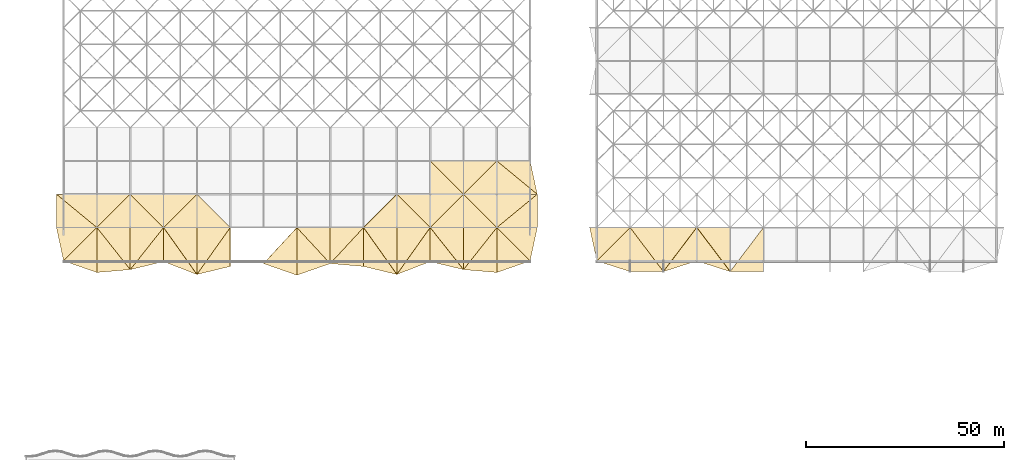
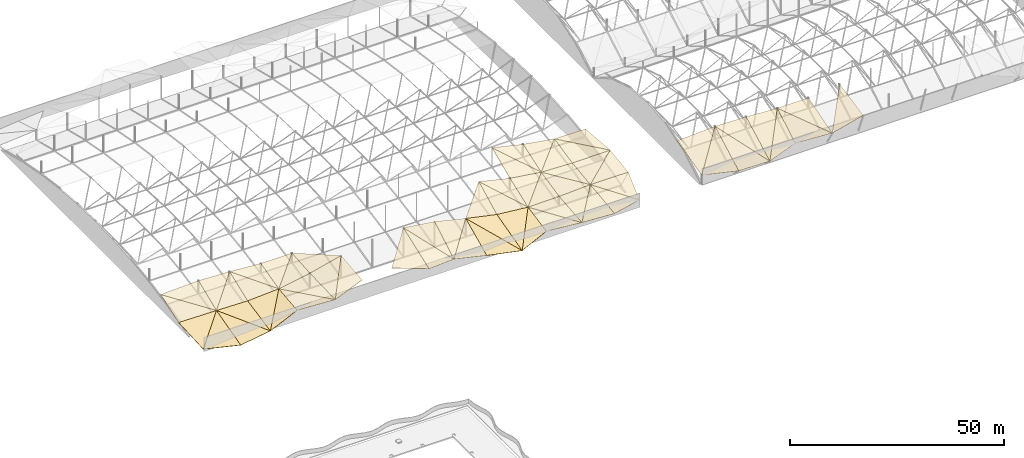
# One storey, part 109 of 111: 58 coverings.
"""IFC4 building model written with IfcOpenShell, lengths in metres."""

from ifc_helpers import new_model, si_unit, direction, frame, origin, place, context, subcontext, project, spatial, polyline, outline, extrude, material, layer, layer_set, type_object, element, save


model = new_model("IFC4")

# Units and contexts
model_context = context("Model", 3, precision=1e-05, world=origin(), true_north=direction((0.0, 1.0)))
body_context = subcontext(model_context, "Body", "Model", "MODEL_VIEW")
ifc_project = project(units=[si_unit("LENGTHUNIT", "METRE"), si_unit("AREAUNIT", "SQUARE_METRE"), si_unit("VOLUMEUNIT", "CUBIC_METRE"), si_unit("PLANEANGLEUNIT", "RADIAN"), si_unit("MASSUNIT", "GRAM", prefix="KILO")], contexts=[model_context])

# Site, building, storey
site_placement = place(None, origin())
site = spatial("IfcSite", under=ifc_project, at=site_placement, CompositionType="ELEMENT")
building_placement = place(site_placement, origin())
building = spatial("IfcBuilding", under=site, at=building_placement, Name="Rain Tree Exposition and Congress Centre", CompositionType="ELEMENT")
storey_placement = place(building_placement, frame((0.0, 0.0, 19.5)))
storey = spatial("IfcBuildingStorey", under=building, at=storey_placement, Name="RF", CompositionType="ELEMENT", Elevation=19.5)

# Coverings
ifc_material = material(Name="Aluminium composite cladding", Category="aluminium")
ifc_layer = layer(ifc_material, 0.10009765625)
ifc_layer_set = layer_set([ifc_layer], Name="Aluminium composite cladding")
covering_type = type_object("IfcCoveringType", Name="Triangular aluminium roof skin facet 100", PredefinedType="CLADDING", material=ifc_layer_set)
covering_1_placement = place(storey_placement, frame((8.39990234375, 100.800048828125, 0.5), z_axis=(-0.088846974785, -0.255384950828, 0.962748535165), x_axis=(0.944476797556, -0.328578116858, 0.0)))
element("IfcCovering", 1, at=covering_1_placement, inside=storey, type_object=covering_type, Name="Roof skin facet A1", PredefinedType="CLADDING", context=body_context, shape_type="SweptSolid", body=[
    extrude(outline(polyline([(0.0, 0.0), (8.893968074293719, 4.440892098500626e-16), (5.173719356660829, 11.10738348383713), (0.0, 0.0)])), origin(), (0.0, 0.0, -1.0), 0.10009765625),
])
covering_2_placement = place(storey_placement, frame((8.39990234375, 100.800048828125, 0.5), z_axis=(0.013570877733, -0.348654076553, 0.937153224494), x_axis=(0.685546181138, 0.685526256525, 0.245112596866)))
element("IfcCovering", 2, at=covering_2_placement, inside=storey, type_object=covering_type, Name="Roof skin facet A2", PredefinedType="CLADDING", context=body_context, shape_type="SweptSolid", body=[
    extrude(outline(polyline([(0.0, 0.0), (12.253217530041029, 4.440892098500626e-16), (5.296884331635731, 7.461249837091799), (0.0, 0.0)])), origin(), (0.0, 0.0, -1.0), 0.10009765625),
])
covering_3_placement = place(storey_placement, frame((16.800048828125, 97.877685546875, 0.5), z_axis=(-0.055555446794, -0.256002953264, 0.965078276748), x_axis=(0.993148670055, 0.0853554792, 0.079813290493)))
element("IfcCovering", 3, at=covering_3_placement, inside=storey, type_object=covering_type, Name="Roof skin facet A3", PredefinedType="CLADDING", context=body_context, shape_type="SweptSolid", body=[
    extrude(outline(polyline([(0.0, 0.0), (8.457849863795428, -1.1102230246251565e-16), (1.2061300788619782, 11.65158652763354), (0.0, 0.0)])), origin(), (0.0, 0.0, -1.0), 0.10009765625),
])
covering_4_placement = place(storey_placement, frame((25.199951171875, 98.599609375, 1.175048828125), z_axis=(0.022531770546, -0.197416149791, 0.980060805827), x_axis=(0.0, 0.980309679562, 0.197466281062)))
element("IfcCovering", 4, at=covering_4_placement, inside=storey, type_object=covering_type, Name="Roof skin facet A4", PredefinedType="CLADDING", context=body_context, shape_type="SweptSolid", body=[
    extrude(outline(polyline([(0.0, 0.0), (10.813258318135704, -6.938893903907228e-18), (10.85139206528424, 8.402035390047633), (0.0, 0.0)])), origin(), (0.0, 0.0, -1.0), 0.10009765625),
])
covering_5_placement = place(storey_placement, frame((25.199951171875, 98.599609375, 1.175048828125), z_axis=(-0.174021564032, -0.104420540399, 0.979189892715), x_axis=(0.953763157926, 0.229577309092, 0.193984787374)))
element("IfcCovering", 5, at=covering_5_placement, inside=storey, type_object=covering_type, Name="Roof skin facet A5", PredefinedType="CLADDING", context=body_context, shape_type="SweptSolid", body=[
    extrude(outline(polyline([(0.0, 0.0), (8.807371530935853, 3.608224830031759e-16), (10.954226733053028, 8.355613658077907), (0.0, 0.0)])), origin(), (0.0, 0.0, -1.0), 0.10009765625),
])
covering_6_placement = place(storey_placement, frame((25.199951171875, 98.599609375, 1.175048828125), z_axis=(-0.056862510239, -0.197146784279, 0.978723556668), x_axis=(0.609713422238, 0.769411662748, 0.190408077483)))
element("IfcCovering", 6, at=covering_6_placement, inside=storey, type_object=covering_type, Name="Roof skin facet A6", PredefinedType="CLADDING", context=body_context, shape_type="SweptSolid", body=[
    extrude(outline(polyline([(0.0, 0.0), (13.777204466879034, -5.828670879282072e-16), (8.562596198852994, 6.603673355801243), (0.0, 0.0)])), origin(), (0.0, 0.0, -1.0), 0.10009765625),
])
covering_7_placement = place(storey_placement, frame((33.60009765625, 100.62158203125, 2.883544921875), z_axis=(-0.273527872375, -0.101994616717, 0.956441112246), x_axis=(0.909465826513, -0.351140616154, 0.222648103724)))
element("IfcCovering", 7, at=covering_7_placement, inside=storey, type_object=covering_type, Name="Roof skin facet A7", PredefinedType="CLADDING", context=body_context, shape_type="SweptSolid", body=[
    extrude(outline(polyline([(0.0, 0.0), (9.236083532633199, -5.551115123125783e-17), (-2.8085364709852003, 8.157045405847732), (0.0, 0.0)])), origin(), (0.0, 0.0, -1.0), 0.10009765625),
])
covering_8_placement = place(storey_placement, frame((42.0, 97.37841796875, 4.93994140625), z_axis=(-0.176459652595, -0.030376063834, 0.983839054801), x_axis=(0.0, 0.999523706651, 0.030860327987)))
element("IfcCovering", 8, at=covering_8_placement, inside=storey, type_object=covering_type, Name="Roof skin facet A8", PredefinedType="CLADDING", context=body_context, shape_type="SweptSolid", body=[
    extrude(outline(polyline([(0.0, 0.0), (11.827166403825387, -1.3877787807814457e-17), (11.780672486831795, 8.533816059807615), (0.0, 0.0)])), origin(), (0.0, 0.0, -1.0), 0.10009765625),
])
covering_9_placement = place(storey_placement, frame((42.0, 97.37841796875, 4.93994140625), z_axis=(-0.142025918388, -0.104104853404, 0.984373312318), x_axis=(0.959255637522, 0.230906097482, 0.16282197649)))
element("IfcCovering", 9, at=covering_9_placement, inside=storey, type_object=covering_type, Name="Roof skin facet A9", PredefinedType="CLADDING", context=body_context, shape_type="SweptSolid", body=[
    extrude(outline(polyline([(0.0, 0.0), (8.75668801431289, -2.3592239273284576e-16), (11.188211241124577, 9.549510924561162), (0.0, 0.0)])), origin(), (0.0, 0.0, -1.0), 0.10009765625),
])
covering_10_placement = place(storey_placement, frame((42.0, 97.37841796875, 4.93994140625), z_axis=(-0.242121791361, -0.029942105615, 0.96978374314), x_axis=(0.571053092266, 0.803666854055, 0.167385643071)))
element("IfcCovering", 10, at=covering_10_placement, inside=storey, type_object=covering_type, Name="Roof skin facet A10", PredefinedType="CLADDING", context=body_context, shape_type="SweptSolid", body=[
    extrude(outline(polyline([(0.0, 0.0), (14.70949454176925, -1.2212453270876722e-15), (9.561668524559432, 6.9610602762959495), (0.0, 0.0)])), origin(), (0.0, 0.0, -1.0), 0.10009765625),
])
covering_11_placement = place(storey_placement, frame((58.800048828125, 100.122314453125, 6.386962890625), z_axis=(0.033609960106, -0.346439700269, 0.93746994867), x_axis=(0.933287839562, -0.32469497877, -0.153450250201)))
element("IfcCovering", 11, at=covering_11_placement, inside=storey, type_object=covering_type, Name="Roof skin facet A13", PredefinedType="CLADDING", context=body_context, shape_type="SweptSolid", body=[
    extrude(outline(polyline([(0.0, 0.0), (9.000334074522275, 4.996003610813204e-16), (4.423508405296607, 11.94646728744625), (0.0, 0.0)])), origin(), (0.0, 0.0, -1.0), 0.10009765625),
])
covering_12_placement = place(storey_placement, frame((67.199951171875, 97.199951171875, 5.005859375), z_axis=(0.321899540777, -0.328185458327, 0.8880737529), x_axis=(0.922239894316, 0.320842024442, -0.21571734442)))
element("IfcCovering", 12, at=covering_12_placement, inside=storey, type_object=covering_type, Name="Roof skin facet A15", PredefinedType="CLADDING", context=body_context, shape_type="SweptSolid", body=[
    extrude(outline(polyline([(0.0, 0.0), (9.108418033251988, -6.661338147750939e-16), (2.893490561844496, 12.46166627000672), (0.0, 0.0)])), origin(), (0.0, 0.0, -1.0), 0.10009765625),
])
covering_13_placement = place(storey_placement, frame((75.60009765625, 100.122314453125, 3.041015625), z_axis=(0.120878523872, -0.494804682639, 0.860556046115), x_axis=(0.0, 0.866912851881, 0.498459734827)))
element("IfcCovering", 13, at=covering_13_placement, inside=storey, type_object=covering_type, Name="Roof skin facet A16", PredefinedType="CLADDING", context=body_context, shape_type="SweptSolid", body=[
    extrude(outline(polyline([(0.0, 0.0), (10.471221760131927, 0.0), (11.059370172832407, 8.46219717804682), (0.0, 0.0)])), origin(), (0.0, 0.0, -1.0), 0.10009765625),
])
covering_14_placement = place(storey_placement, frame((75.60009765625, 100.122314453125, 3.041015625), z_axis=(0.119194264941, -0.424555762988, 0.89752166064), x_axis=(0.98177362132, -0.084377858462, -0.170296604431)))
element("IfcCovering", 14, at=covering_14_placement, inside=storey, type_object=covering_type, Name="Roof skin facet A17", PredefinedType="CLADDING", context=body_context, shape_type="SweptSolid", body=[
    extrude(outline(polyline([(0.0, 0.0), (8.555844403776167, -1.1102230246251565e-16), (6.939568893734139, 10.719462791114553), (0.0, 0.0)])), origin(), (0.0, 0.0, -1.0), 0.10009765625),
])
covering_15_placement = place(storey_placement, frame((75.60009765625, 100.122314453125, 3.041015625), z_axis=(0.206120040917, -0.487756166056, 0.848297383708), x_axis=(0.657800996188, 0.71087474976, 0.248907491989)))
element("IfcCovering", 15, at=covering_15_placement, inside=storey, type_object=covering_type, Name="Roof skin facet A18", PredefinedType="CLADDING", context=body_context, shape_type="SweptSolid", body=[
    extrude(outline(polyline([(0.0, 0.0), (12.769671059231396, -2.220446049250313e-16), (7.752231009962999, 7.039133435162915), (0.0, 0.0)])), origin(), (0.0, 0.0, -1.0), 0.10009765625),
])
covering_16_placement = place(storey_placement, frame((84.0, 99.400390625, 1.583984375), z_axis=(-0.06882131159, -0.426590325361, 0.901822777146), x_axis=(0.971582300052, -0.233873295618, -0.036484460026)))
element("IfcCovering", 16, at=covering_16_placement, inside=storey, type_object=covering_type, Name="Roof skin facet A19", PredefinedType="CLADDING", context=body_context, shape_type="SweptSolid", body=[
    extrude(outline(polyline([(0.0, 0.0), (8.64559012993999, 5.551115123125783e-17), (-2.460979163897499, 10.557594925422803), (0.0, 0.0)])), origin(), (0.0, 0.0, -1.0), 0.10009765625),
])
covering_17_placement = place(storey_placement, frame((92.39990234375, 97.37841796875, 1.2685546875), z_axis=(0.205280667713, -0.250382164746, 0.946133510156), x_axis=(0.0, 0.966721640043, 0.255830550701)))
element("IfcCovering", 17, at=covering_17_placement, inside=storey, type_object=covering_type, Name="Roof skin facet A20", PredefinedType="CLADDING", context=body_context, shape_type="SweptSolid", body=[
    extrude(outline(polyline([(0.0, 0.0), (12.228476857719636, 1.1102230246251565e-16), (12.694730534718198, 8.582686568844313), (0.0, 0.0)])), origin(), (0.0, 0.0, -1.0), 0.10009765625),
])
covering_18_placement = place(storey_placement, frame((92.39990234375, 97.37841796875, 1.2685546875), z_axis=(0.001069937934, -0.190406628748, 0.981704726973), x_axis=(0.930683077343, 0.359322056541, 0.068678011259)))
element("IfcCovering", 18, at=covering_18_placement, inside=storey, type_object=covering_type, Name="Roof skin facet A21", PredefinedType="CLADDING", context=body_context, shape_type="SweptSolid", body=[
    extrude(outline(polyline([(0.0, 0.0), (9.025786208939987, -2.636779683484747e-16), (12.222451186338654, 8.132529844279292), (0.0, 0.0)])), origin(), (0.0, 0.0, -1.0), 0.10009765625),
])
covering_19_placement = place(storey_placement, frame((92.39990234375, 97.37841796875, 1.2685546875), z_axis=(0.09675829049, -0.254630170413, 0.962185693895), x_axis=(0.57218526256, 0.805236800605, 0.155556164327)))
element("IfcCovering", 19, at=covering_19_placement, inside=storey, type_object=covering_type, Name="Roof skin facet A22", PredefinedType="CLADDING", context=body_context, shape_type="SweptSolid", body=[
    extrude(outline(polyline([(0.0, 0.0), (14.680815872100728, 1.5543122344752192e-15), (10.005778274362342, 7.029939358492595), (0.0, 0.0)])), origin(), (0.0, 0.0, -1.0), 0.10009765625),
])
covering_20_placement = place(storey_placement, frame((100.800048828125, 100.62158203125, 1.888427734375), z_axis=(-0.131090262413, -0.18876361077, 0.97323360112), x_axis=(0.968690080286, -0.233177098324, 0.085252385139)))
element("IfcCovering", 20, at=covering_20_placement, inside=storey, type_object=covering_type, Name="Roof skin facet A23", PredefinedType="CLADDING", context=body_context, shape_type="SweptSolid", body=[
    extrude(outline(polyline([(0.0, 0.0), (8.671403284388388, -1.6653345369377348e-16), (-1.8584347409867126, 8.538321202631948), (0.0, 0.0)])), origin(), (0.0, 0.0, -1.0), 0.10009765625),
])
covering_21_placement = place(storey_placement, frame((109.199951171875, 98.599609375, 2.627685546875), z_axis=(-0.013882831705, -0.097794365343, 0.995109807554), x_axis=(0.0, 0.995205716676, 0.097803790807)))
element("IfcCovering", 21, at=covering_21_placement, inside=storey, type_object=covering_type, Name="Roof skin facet A24", PredefinedType="CLADDING", context=body_context, shape_type="SweptSolid", body=[
    extrude(outline(polyline([(0.0, 0.0), (10.65140766301539, 0.0), (10.639946281280181, 8.400711930034365), (0.0, 0.0)])), origin(), (0.0, 0.0, -1.0), 0.10009765625),
])
covering_22_placement = place(storey_placement, frame((109.199951171875, 98.599609375, 2.627685546875), z_axis=(-0.018824827347, -0.121715847902, 0.992386456097), x_axis=(0.996292206358, -0.085623159654, 0.008397266249)))
element("IfcCovering", 22, at=covering_22_placement, inside=storey, type_object=covering_type, Name="Roof skin facet A25", PredefinedType="CLADDING", context=body_context, shape_type="SweptSolid", body=[
    extrude(outline(polyline([(0.0, 0.0), (8.431408406855759, -7.45931094670027e-17), (7.473621297073264, 11.366826835656783), (0.0, 0.0)])), origin(), (0.0, 0.0, -1.0), 0.10009765625),
])
covering_23_placement = place(storey_placement, frame((109.199951171875, 98.599609375, 2.627685546875), z_axis=(-0.049429346382, -0.097684237679, 0.993989199854), x_axis=(0.617491314477, 0.779226767323, 0.107285234922)))
element("IfcCovering", 23, at=covering_23_placement, inside=storey, type_object=covering_type, Name="Roof skin facet A26", PredefinedType="CLADDING", context=body_context, shape_type="SweptSolid", body=[
    extrude(outline(polyline([(0.0, 0.0), (13.603667432125583, -9.71445146547012e-17), (8.371834254837852, 6.58520131911444), (0.0, 0.0)])), origin(), (0.0, 0.0, -1.0), 0.10009765625),
])
covering_24_placement = place(storey_placement, frame((117.60009765625, 97.877685546875, 2.698486328125), z_axis=(0.136634593764, -0.120595707651, 0.983253610765), x_axis=(0.940592058079, 0.327236148788, -0.090570873929)))
element("IfcCovering", 24, at=covering_24_placement, inside=storey, type_object=covering_type, Name="Roof skin facet A27", PredefinedType="CLADDING", context=body_context, shape_type="SweptSolid", body=[
    extrude(outline(polyline([(0.0, 0.0), (8.930441493310717, -1.942890293094024e-16), (3.5792813733628575, 10.831013494118194), (0.0, 0.0)])), origin(), (0.0, 0.0, -1.0), 0.10009765625),
])
covering_25_placement = place(storey_placement, frame((126.0, 100.800048828125, 1.8896484375), z_axis=(0.00136668432, -0.251814144715, 0.967774647682), x_axis=(0.203081869582, 0.947678666058, 0.246298396556)))
element("IfcCovering", 25, at=covering_25_placement, inside=storey, type_object=covering_type, Name="Roof skin facet A28", PredefinedType="CLADDING", context=body_context, shape_type="SweptSolid", body=[
    extrude(outline(polyline([(0.0, 0.0), (8.863660905960758, 8.326672684688674e-17), (6.795783507553245, 9.98814769902598), (0.0, 0.0)])), origin(), (0.0, 0.0, -1.0), 0.10009765625),
])
covering_26_placement = place(storey_placement, frame((6.60009765625, 109.199951171875, 3.651123046875), z_axis=(0.013701760101, -0.323317145725, 0.946191463209), x_axis=(0.999895167396, 0.0, -0.014479441257)))
element("IfcCovering", 26, at=covering_26_placement, inside=storey, type_object=covering_type, Name="Roof skin facet A29", PredefinedType="CLADDING", context=body_context, shape_type="SweptSolid", body=[
    extrude(outline(polyline([(0.0, 0.0), (10.201020571430004, 0.0), (-0.04156122823681839, 8.87691994879196), (0.0, 0.0)])), origin(), (0.0, 0.0, -1.0), 0.10009765625),
])
covering_27_placement = place(storey_placement, frame((16.800048828125, 109.199951171875, 3.50341796875), z_axis=(-0.035943035431, -0.376276026911, 0.925810158605), x_axis=(0.0, 0.926408766578, 0.376519318506)))
element("IfcCovering", 27, at=covering_27_placement, inside=storey, type_object=covering_type, Name="Roof skin facet A30", PredefinedType="CLADDING", context=body_context, shape_type="SweptSolid", body=[
    extrude(outline(polyline([(0.0, 0.0), (9.067429829497659, -1.3877787807814457e-17), (8.91832965014802, 10.206546230308144), (0.0, 0.0)])), origin(), (0.0, 0.0, -1.0), 0.10009765625),
])
covering_28_placement = place(storey_placement, frame((16.800048828125, 109.199951171875, 3.50341796875), z_axis=(0.021446251282, -0.359641283229, 0.932844148667), x_axis=(0.999735830616, 0.0, -0.022984102831)))
element("IfcCovering", 28, at=covering_28_placement, inside=storey, type_object=covering_type, Name="Roof skin facet A31", PredefinedType="CLADDING", context=body_context, shape_type="SweptSolid", body=[
    extrude(outline(polyline([(0.0, 0.0), (8.40212192712558, 1.3877787807814457e-17), (8.32768732652536, 9.002497828653667), (0.0, 0.0)])), origin(), (0.0, 0.0, -1.0), 0.10009765625),
])
covering_29_placement = place(storey_placement, frame((16.800048828125, 109.199951171875, 3.50341796875), z_axis=(0.040624380897, -0.376208497706, 0.925644006047), x_axis=(0.684947117356, 0.684967025137, 0.248329661742)))
element("IfcCovering", 29, at=covering_29_placement, inside=storey, type_object=covering_type, Name="Roof skin facet A32", PredefinedType="CLADDING", context=body_context, shape_type="SweptSolid", body=[
    extrude(outline(polyline([(0.0, 0.0), (12.263577918506698, 1.4432899320127035e-15), (6.60163633390835, 6.215841168151345), (0.0, 0.0)])), origin(), (0.0, 0.0, -1.0), 0.10009765625),
])
covering_30_placement = place(storey_placement, frame((25.199951171875, 109.199951171875, 3.310302734375), z_axis=(-0.054129970376, -0.359196626831, 0.931690790756), x_axis=(0.998316534503, 0.0, 0.058000835658)))
element("IfcCovering", 30, at=covering_30_placement, inside=storey, type_object=covering_type, Name="Roof skin facet A33", PredefinedType="CLADDING", context=body_context, shape_type="SweptSolid", body=[
    extrude(outline(polyline([(0.0, 0.0), (8.414311687778435, 0.0), (0.18783717895473637, 9.000845785751626), (0.0, 0.0)])), origin(), (0.0, 0.0, -1.0), 0.10009765625),
])
covering_31_placement = place(storey_placement, frame((33.60009765625, 109.199951171875, 3.79833984375), z_axis=(0.069838342434, -0.246653518331, 0.966584009707), x_axis=(0.0, 0.96894987323, 0.24725724088)))
element("IfcCovering", 31, at=covering_31_placement, inside=storey, type_object=covering_type, Name="Roof skin facet A34", PredefinedType="CLADDING", context=body_context, shape_type="SweptSolid", body=[
    extrude(outline(polyline([(0.0, 0.0), (8.669330288855125, 0.0), (8.819399014643153, 8.420707139173071), (0.0, 0.0)])), origin(), (0.0, 0.0, -1.0), 0.10009765625),
])
covering_32_placement = place(storey_placement, frame((33.60009765625, 109.199951171875, 3.79833984375), z_axis=(-0.17605777671, -0.073947252339, 0.981598422539), x_axis=(0.984293265885, 0.0, 0.176541119101)))
element("IfcCovering", 32, at=covering_32_placement, inside=storey, type_object=covering_type, Name="Roof skin facet A35", PredefinedType="CLADDING", context=body_context, shape_type="SweptSolid", body=[
    extrude(outline(polyline([(0.0, 0.0), (8.533942712893484, 0.0), (8.64566013982436, 8.423207930214822), (0.0, 0.0)])), origin(), (0.0, 0.0, -1.0), 0.10009765625),
])
covering_33_placement = place(storey_placement, frame((33.60009765625, 109.199951171875, 3.79833984375), z_axis=(0.000478757948, -0.247257212543, 0.968949762184), x_axis=(0.695901277969, 0.69592150413, 0.177241844412)))
element("IfcCovering", 33, at=covering_33_placement, inside=storey, type_object=covering_type, Name="Roof skin facet A36", PredefinedType="CLADDING", context=body_context, shape_type="SweptSolid", body=[
    extrude(outline(polyline([(0.0, 0.0), (12.070537315669988, 4.996003610813204e-16), (6.225770162727055, 6.032998718560982), (0.0, 0.0)])), origin(), (0.0, 0.0, -1.0), 0.10009765625),
])
covering_34_placement = place(storey_placement, frame((42.0, 109.199951171875, 5.304931640625), z_axis=(-0.241585964914, -0.072895532193, 0.967637567968), x_axis=(0.970218755622, 0.0, 0.242230399081)))
element("IfcCovering", 34, at=covering_34_placement, inside=storey, type_object=covering_type, Name="Roof skin facet A37", PredefinedType="CLADDING", context=body_context, shape_type="SweptSolid", body=[
    extrude(outline(polyline([(0.0, 0.0), (8.657740633311196, 2.7755575615628914e-17), (0.15328642441868207, 8.422554000491944), (0.0, 0.0)])), origin(), (0.0, 0.0, -1.0), 0.10009765625),
])
covering_35_placement = place(storey_placement, frame((84.0, 109.199951171875, 6.219482421875), z_axis=(0.189838428526, -0.445427095867, 0.87496061244), x_axis=(0.977262162077, 0.0, -0.212034588151)))
element("IfcCovering", 35, at=covering_35_placement, inside=storey, type_object=covering_type, Name="Roof skin facet A47", PredefinedType="CLADDING", context=body_context, shape_type="SweptSolid", body=[
    extrude(outline(polyline([(0.0, 0.0), (8.595341833245216, 1.1102230246251565e-16), (7.688604077863299, 9.38230269839176), (0.0, 0.0)])), origin(), (0.0, 0.0, -1.0), 0.10009765625),
])
covering_36_placement = place(storey_placement, frame((92.39990234375, 109.199951171875, 4.39697265625), z_axis=(0.08925879299, -0.451866190177, 0.88760904347), x_axis=(0.994981777613, 0.0, -0.100056295246)))
element("IfcCovering", 36, at=covering_36_placement, inside=storey, type_object=covering_type, Name="Roof skin facet A49", PredefinedType="CLADDING", context=body_context, shape_type="SweptSolid", body=[
    extrude(outline(polyline([(0.0, 0.0), (8.442512891571488, 5.551115123125783e-17), (-0.4278774578942058, 9.41629960028409), (0.0, 0.0)])), origin(), (0.0, 0.0, -1.0), 0.10009765625),
])
covering_37_placement = place(storey_placement, frame((100.800048828125, 109.199951171875, 3.55224609375), z_axis=(0.21673250685, -0.3409442674, 0.91475899941), x_axis=(0.0, 0.937031269197, 0.349245473194)))
element("IfcCovering", 37, at=covering_37_placement, inside=storey, type_object=covering_type, Name="Roof skin facet A50", PredefinedType="CLADDING", context=body_context, shape_type="SweptSolid", body=[
    extrude(outline(polyline([(0.0, 0.0), (8.964638385622873, -1.1102230246251565e-16), (9.659718731686723, 8.604670658363693), (0.0, 0.0)])), origin(), (0.0, 0.0, -1.0), 0.10009765625),
])
covering_38_placement = place(storey_placement, frame((100.800048828125, 109.199951171875, 3.55224609375), z_axis=(-0.013641155312, -0.209158302333, 0.977786645157), x_axis=(0.999902698235, 0.0, 0.013949697586)))
element("IfcCovering", 38, at=covering_38_placement, inside=storey, type_object=covering_type, Name="Roof skin facet A51", PredefinedType="CLADDING", context=body_context, shape_type="SweptSolid", body=[
    extrude(outline(polyline([(0.0, 0.0), (8.400719748610413, 0.0), (8.425785611460716, 8.59014507602184), (0.0, 0.0)])), origin(), (0.0, 0.0, -1.0), 0.10009765625),
])
covering_39_placement = place(storey_placement, frame((100.800048828125, 109.199951171875, 3.55224609375), z_axis=(0.134503477152, -0.346071922061, 0.928516580033), x_axis=(0.698092976013, 0.698113265875, 0.159072514443)))
element("IfcCovering", 39, at=covering_39_placement, inside=storey, type_object=covering_type, Name="Roof skin facet A52", PredefinedType="CLADDING", context=body_context, shape_type="SweptSolid", body=[
    extrude(outline(polyline([(0.0, 0.0), (12.032641256075104, -9.992007221626409e-16), (6.36228736918148, 6.315539629907873), (0.0, 0.0)])), origin(), (0.0, 0.0, -1.0), 0.10009765625),
])
covering_40_placement = place(storey_placement, frame((109.199951171875, 109.199951171875, 3.66943359375), z_axis=(-0.048570752606, -0.208930882045, 0.976723486213), x_axis=(0.998765838924, 0.0, 0.049666880298)))
element("IfcCovering", 40, at=covering_40_placement, inside=storey, type_object=covering_type, Name="Roof skin facet A53", PredefinedType="CLADDING", context=body_context, shape_type="SweptSolid", body=[
    extrude(outline(polyline([(0.0, 0.0), (8.410526428722234, 0.0), (0.08924517553471831, 8.589718040961909), (0.0, 0.0)])), origin(), (0.0, 0.0, -1.0), 0.10009765625),
])
covering_41_placement = place(storey_placement, frame((117.60009765625, 109.199951171875, 4.087158203125), z_axis=(0.036244346007, -0.126509477993, 0.991303031046), x_axis=(0.0, 0.991954787163, 0.126592654705)))
element("IfcCovering", 41, at=covering_41_placement, inside=storey, type_object=covering_type, Name="Roof skin facet A54", PredefinedType="CLADDING", context=body_context, shape_type="SweptSolid", body=[
    extrude(outline(polyline([(0.0, 0.0), (8.468275563650444, 0.0), (8.507155827229239, 8.405669363537687), (0.0, 0.0)])), origin(), (0.0, 0.0, -1.0), 0.10009765625),
])
covering_42_placement = place(storey_placement, frame((117.60009765625, 109.199951171875, 4.087158203125), z_axis=(0.001398496067, -0.138930554718, 0.990301138631), x_axis=(0.999999002857, 0.0, -0.00141219132)))
element("IfcCovering", 42, at=covering_42_placement, inside=storey, type_object=covering_type, Name="Roof skin facet A55", PredefinedType="CLADDING", context=body_context, shape_type="SweptSolid", body=[
    extrude(outline(polyline([(0.0, 0.0), (10.19996134269158, 0.0), (10.198297122109835, 8.482407805609464), (0.0, 0.0)])), origin(), (0.0, 0.0, -1.0), 0.10009765625),
])
covering_43_placement = place(storey_placement, frame((117.60009765625, 109.199951171875, 4.087158203125), z_axis=(-0.00895071625, -0.126587583598, 0.991915050978), x_axis=(0.768945265973, 0.633263117029, 0.087755356235)))
element("IfcCovering", 43, at=covering_43_placement, inside=storey, type_object=covering_type, Name="Roof skin facet A56", PredefinedType="CLADDING", context=body_context, shape_type="SweptSolid", body=[
    extrude(outline(polyline([(0.0, 0.0), (13.264859832335135, -4.579669976578771e-16), (5.413578573447429, 6.511901262383371), (0.0, 0.0)])), origin(), (0.0, 0.0, -1.0), 0.10009765625),
])
covering_44_placement = place(storey_placement, frame((100.800048828125, 117.60009765625, 6.68310546875), z_axis=(0.131831365303, -0.392928357057, 0.910070215611), x_axis=(0.989670301267, 0.0, -0.143362110722)))
element("IfcCovering", 44, at=covering_44_placement, inside=storey, type_object=covering_type, Name="Roof skin facet A79", PredefinedType="CLADDING", context=body_context, shape_type="SweptSolid", body=[
    extrude(outline(polyline([(0.0, 0.0), (8.487576451469907, 0.0), (-0.5199326549756935, 9.134607133105016), (0.0, 0.0)])), origin(), (0.0, 0.0, -1.0), 0.10009765625),
])
covering_45_placement = place(storey_placement, frame((109.199951171875, 117.60009765625, 5.46630859375), z_axis=(0.216574153027, -0.31604201431, 0.923695340159), x_axis=(0.0, 0.946151129467, 0.323725254202)))
element("IfcCovering", 45, at=covering_45_placement, inside=storey, type_object=covering_type, Name="Roof skin facet A80", PredefinedType="CLADDING", context=body_context, shape_type="SweptSolid", body=[
    extrude(outline(polyline([(0.0, 0.0), (8.877971057839515, -1.1102230246251565e-16), (9.515542255508015, 8.60411084090128), (0.0, 0.0)])), origin(), (0.0, 0.0, -1.0), 0.10009765625),
])
covering_46_placement = place(storey_placement, frame((109.199951171875, 117.60009765625, 5.46630859375), z_axis=(0.035745185938, -0.207174662528, 0.977650725407), x_axis=(0.999332267502, 0.0, -0.036537913579)))
element("IfcCovering", 46, at=covering_46_placement, inside=storey, type_object=covering_type, Name="Roof skin facet A81", PredefinedType="CLADDING", context=body_context, shape_type="SweptSolid", body=[
    extrude(outline(polyline([(0.0, 0.0), (8.405759283016138, 1.3877787807814457e-17), (8.34072072639856, 8.58618854139735), (0.0, 0.0)])), origin(), (0.0, 0.0, -1.0), 0.10009765625),
])
covering_47_placement = place(storey_placement, frame((109.199951171875, 117.60009765625, 5.46630859375), z_axis=(0.15588630455, -0.319767714515, 0.934584436425), x_axis=(0.701743712861, 0.701723317485, 0.123045305307)))
element("IfcCovering", 47, at=covering_47_placement, inside=storey, type_object=covering_type, Name="Roof skin facet A82", PredefinedType="CLADDING", context=body_context, shape_type="SweptSolid", body=[
    extrude(outline(polyline([(0.0, 0.0), (11.970390799977991, 1.3877787807814457e-15), (6.248042430530625, 6.307165440205691), (0.0, 0.0)])), origin(), (0.0, 0.0, -1.0), 0.10009765625),
])
covering_48_placement = place(storey_placement, frame((117.60009765625, 117.60009765625, 5.1591796875), z_axis=(-0.008827297138, -0.207299067963, 0.978237790748), x_axis=(0.999959289156, 0.0, 0.009023304818)))
element("IfcCovering", 48, at=covering_48_placement, inside=storey, type_object=covering_type, Name="Roof skin facet A83", PredefinedType="CLADDING", context=body_context, shape_type="SweptSolid", body=[
    extrude(outline(polyline([(0.0, 0.0), (10.2003664373978, -3.469446951953614e-18), (0.016061746931556858, 8.586419841968803), (0.0, 0.0)])), origin(), (0.0, 0.0, -1.0), 0.10009765625),
])
covering_49_placement = place(storey_placement, frame((127.800048828125, 117.60009765625, 5.251220703125), z_axis=(0.011255559796, -0.183847518295, 0.982890330805), x_axis=(-0.206029762764, 0.961434967808, 0.18219368686)))
element("IfcCovering", 49, at=covering_49_placement, inside=storey, type_object=covering_type, Name="Roof skin facet A84", PredefinedType="CLADDING", context=body_context, shape_type="SweptSolid", body=[
    extrude(outline(polyline([(0.0, 0.0), (8.73683881386344, 1.249000902703301e-16), (10.484994167933472, 8.216542157696836), (0.0, 0.0)])), origin(), (0.0, 0.0, -1.0), 0.10009765625),
])
covering_50_placement = place(storey_placement, frame((142.800048828125, 100.800048828125, 3.038818359375), z_axis=(-0.143839367015, -0.468780977179, 0.871524315169), x_axis=(0.952002568911, -0.305998849317, -0.007470810138)))
element("IfcCovering", 50, at=covering_50_placement, inside=storey, type_object=covering_type, Name="Roof skin facet B1", PredefinedType="CLADDING", context=body_context, shape_type="SweptSolid", body=[
    extrude(outline(polyline([(0.0, 0.0), (8.82340302228398, 9.71445146547012e-17), (5.382256453411934, 12.1248356213178), (0.0, 0.0)])), origin(), (0.0, 0.0, -1.0), 0.10009765625),
])
covering_51_placement = place(storey_placement, frame((142.800048828125, 100.800048828125, 3.038818359375), z_axis=(-0.042669059539, -0.545637126163, 0.836934572061), x_axis=(0.633201859156, 0.633201859156, 0.445096406548)))
element("IfcCovering", 51, at=covering_51_placement, inside=storey, type_object=covering_type, Name="Roof skin facet B2", PredefinedType="CLADDING", context=body_context, shape_type="SweptSolid", body=[
    extrude(outline(polyline([(0.0, 0.0), (13.265757549958142, 0.0), (6.575670679929363, 7.717004722882073), (0.0, 0.0)])), origin(), (0.0, 0.0, -1.0), 0.10009765625),
])
covering_52_placement = place(storey_placement, frame((151.199951171875, 98.10009765625, 2.972900390625), z_axis=(0.018400427404, -0.473626833691, 0.8805333876), x_axis=(0.999781731048, 0.0, -0.020892349366)))
element("IfcCovering", 52, at=covering_52_placement, inside=storey, type_object=covering_type, Name="Roof skin facet B3", PredefinedType="CLADDING", context=body_context, shape_type="SweptSolid", body=[
    extrude(outline(polyline([(0.0, 0.0), (8.401980375823632, 0.0), (-0.12473691497481612, 12.603077769119707), (0.0, 0.0)])), origin(), (0.0, 0.0, -1.0), 0.10009765625),
])
covering_53_placement = place(storey_placement, frame((159.60009765625, 98.10009765625, 2.79736328125), z_axis=(0.023843546713, -0.470394024017, 0.882134313724), x_axis=(0.0, 0.882385173863, 0.470527794021)))
element("IfcCovering", 53, at=covering_53_placement, inside=storey, type_object=covering_type, Name="Roof skin facet B4", PredefinedType="CLADDING", context=body_context, shape_type="SweptSolid", body=[
    extrude(outline(polyline([(0.0, 0.0), (12.579374455063274, 1.3877787807814457e-17), (12.68620815829549, 8.40253530644636), (0.0, 0.0)])), origin(), (0.0, 0.0, -1.0), 0.10009765625),
])
covering_54_placement = place(storey_placement, frame((159.60009765625, 98.10009765625, 2.79736328125), z_axis=(0.107447549651, -0.50065282652, 0.858953881982), x_axis=(0.950361318197, 0.305471307852, 0.059166248433)))
element("IfcCovering", 54, at=covering_54_placement, inside=storey, type_object=covering_type, Name="Roof skin facet B5", PredefinedType="CLADDING", context=body_context, shape_type="SweptSolid", body=[
    extrude(outline(polyline([(0.0, 0.0), (8.83864082313775, -3.885780586188048e-16), (11.694247699118124, 9.29379612991406), (0.0, 0.0)])), origin(), (0.0, 0.0, -1.0), 0.10009765625),
])
covering_55_placement = place(storey_placement, frame((159.60009765625, 98.10009765625, 2.79736328125), z_axis=(0.052451238277, -0.469880106116, 0.881170558677), x_axis=(0.562335084874, 0.743084480434, 0.362773630875)))
element("IfcCovering", 55, at=covering_55_placement, inside=storey, type_object=covering_type, Name="Roof skin facet B6", PredefinedType="CLADDING", context=body_context, shape_type="SweptSolid", body=[
    extrude(outline(polyline([(0.0, 0.0), (14.937539146483772, -2.220446049250313e-16), (10.395366164513174, 7.08357423808017), (0.0, 0.0)])), origin(), (0.0, 0.0, -1.0), 0.10009765625),
])
covering_56_placement = place(storey_placement, frame((168.0, 100.800048828125, 3.3203125), z_axis=(-0.308570765889, -0.47899468187, 0.821795702823), x_axis=(0.937116144346, -0.30121395804, 0.176305086391)))
element("IfcCovering", 56, at=covering_56_placement, inside=storey, type_object=covering_type, Name="Roof skin facet B7", PredefinedType="CLADDING", context=body_context, shape_type="SweptSolid", body=[
    extrude(outline(polyline([(0.0, 0.0), (8.963565929822577, -3.3306690738754696e-16), (-1.6669788178344986, 9.578638669218249), (0.0, 0.0)])), origin(), (0.0, 0.0, -1.0), 0.10009765625),
])
covering_57_placement = place(storey_placement, frame((176.39990234375, 98.10009765625, 4.900634765625), z_axis=(-0.001364184814, -0.287163988154, 0.957880463788), x_axis=(0.0, 0.957881355097, 0.287164255361)))
element("IfcCovering", 57, at=covering_57_placement, inside=storey, type_object=covering_type, Name="Roof skin facet B8", PredefinedType="CLADDING", context=body_context, shape_type="SweptSolid", body=[
    extrude(outline(polyline([(0.0, 0.0), (11.587921047379721, -8.673617379884035e-19), (11.584485732801431, 8.399910159870913), (0.0, 0.0)])), origin(), (0.0, 0.0, -1.0), 0.10009765625),
])
covering_58_placement = place(storey_placement, frame((176.39990234375, 98.10009765625, 4.900634765625), z_axis=(-0.241049104071, -0.186464222374, 0.952431847011), x_axis=(0.969434021481, 0.0, 0.245352150988)))
element("IfcCovering", 58, at=covering_58_placement, inside=storey, type_object=covering_type, Name="Roof skin facet B9", PredefinedType="CLADDING", context=body_context, shape_type="SweptSolid", body=[
    extrude(outline(polyline([(0.0, 0.0), (8.665000709939786, -5.551115123125783e-17), (9.19817441500522, 11.29800065513805), (0.0, 0.0)])), origin(), (0.0, 0.0, -1.0), 0.10009765625),
])

save(model, "model.ifc")
